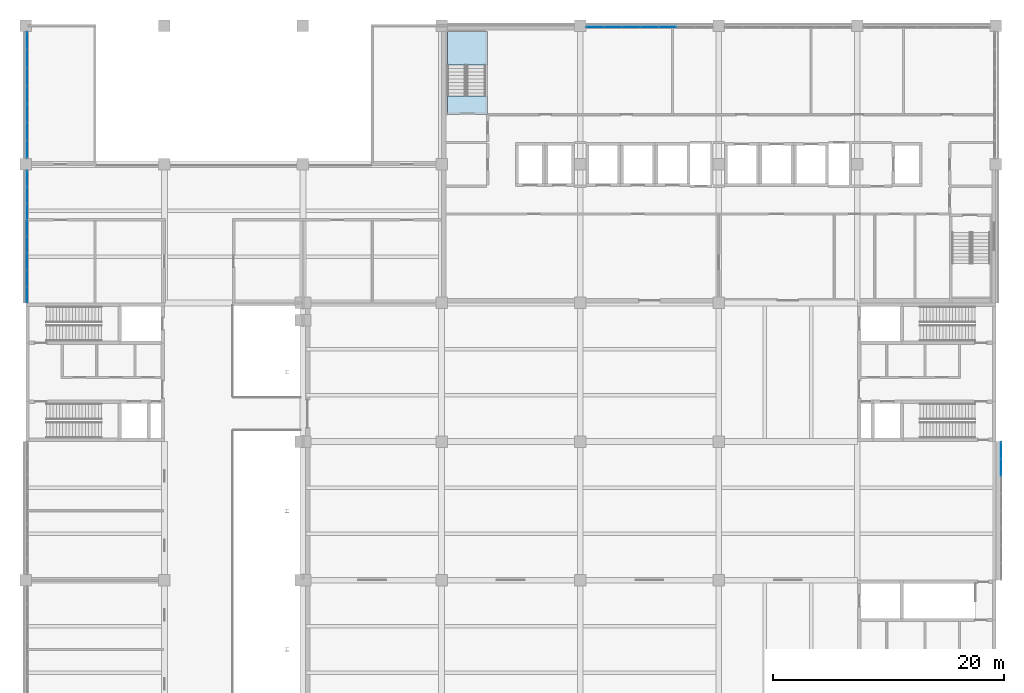
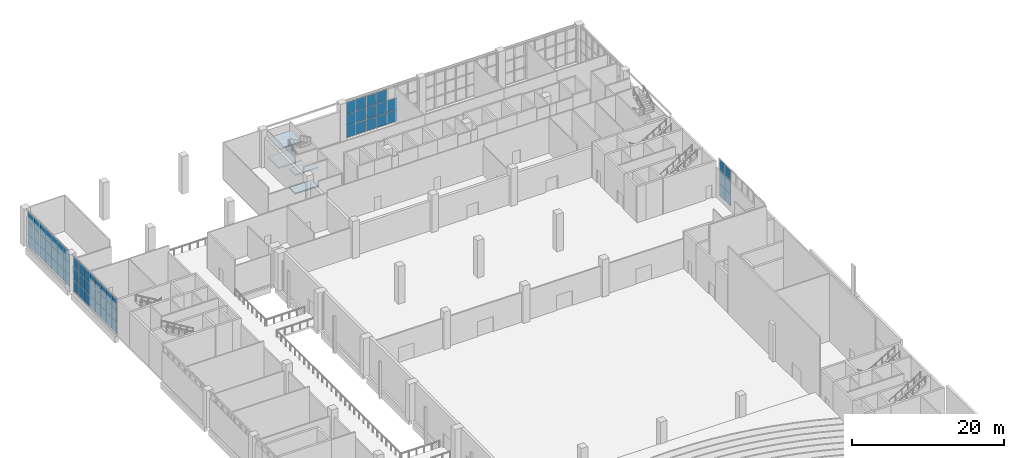
# One storey, part 47 of 72: 65 plates, 4 slabs, 5 elements without a shape of their own.
"""IFC4 building model written with IfcOpenShell, lengths in metres."""

from ifc_helpers import new_model, si_unit, direction, frame, origin, origin_2d, place, context, subcontext, project, spatial, polyline, rectangle, outline, extrude, material, layer, layer_set, type_object, element, aggregate, save


model = new_model("IFC4")

# Units and contexts
model_context = context("Model", 3, precision=1e-05, world=origin(), true_north=direction((0.0, 1.0)))
body_context = subcontext(model_context, "Body", "Model", "MODEL_VIEW")
ifc_project = project(units=[si_unit("LENGTHUNIT", "METRE"), si_unit("AREAUNIT", "SQUARE_METRE"), si_unit("VOLUMEUNIT", "CUBIC_METRE"), si_unit("PLANEANGLEUNIT", "RADIAN"), si_unit("MASSUNIT", "GRAM", prefix="KILO")], contexts=[model_context])

# Site, building, storey
site_placement = place(None, origin())
site = spatial("IfcSite", under=ifc_project, at=site_placement, CompositionType="ELEMENT")
building_placement = place(site_placement, origin())
building = spatial("IfcBuilding", under=site, at=building_placement, Name="Lilac Gate Convention Centre", CompositionType="ELEMENT")
storey_placement = place(building_placement, frame((0.0, 0.0, 6.0)))
storey = spatial("IfcBuildingStorey", under=building, at=storey_placement, Name="L01", CompositionType="ELEMENT", Elevation=6.0)

# Curtain wall, plates
ifc_material_1 = material(Name="Aluminium framed double glazing", Category="aluminium")
ifc_layer_1 = layer(ifc_material_1, 0.199951171875)
ifc_layer_set_1 = layer_set([ifc_layer_1], Name="Aluminium framed double glazing")
curtain_wall_type = type_object("IfcCurtainWallType", Name="Unitised curtain wall 1500", PredefinedType="NOTDEFINED", material=ifc_layer_set_1)
curtain_wall_1_placement = place(storey_placement, origin())
curtain_wall_1 = element("IfcCurtainWall", 1, at=curtain_wall_1_placement, inside=storey, type_object=curtain_wall_type, Name="Curtain wall N L01 3", PredefinedType="NOTDEFINED")
ifc_material_2 = material(Name="Double glazed unit low emissivity")
ifc_layer_2 = layer(ifc_material_2, 0.028076171875)
ifc_layer_set_2 = layer_set([ifc_layer_2], Name="Double glazed unit low emissivity")
plate_type_1 = type_object("IfcPlateType", Name="Curtain wall glass panel 28", PredefinedType="CURTAIN_PANEL", material=ifc_layer_set_2)
plate_1_placement = place(storey_placement, frame((61.571533203125, 245.89990234375, 1.94677734375), z_axis=(0.0, 0.0, 1.0), x_axis=(-1.0, 0.0, 0.0)))
plate_1 = element("IfcPlate", 2, at=plate_1_placement, type_object=plate_type_1, Name="CW panel 3.2", PredefinedType="CURTAIN_PANEL", context=body_context, shape_type="SweptSolid", body=[
    extrude(rectangle(XDim=1.511474609375, YDim=0.028076171875, at=origin_2d()), origin(), (0.0, 0.0, 1.0), 1.856689453125),
])
plate_2_placement = place(storey_placement, frame((60.0, 245.89990234375, 1.94677734375), z_axis=(0.0, 0.0, 1.0), x_axis=(-1.0, 0.0, 0.0)))
plate_2 = element("IfcPlate", 3, at=plate_2_placement, type_object=plate_type_1, Name="CW panel 4.2", PredefinedType="CURTAIN_PANEL", context=body_context, shape_type="SweptSolid", body=[
    extrude(rectangle(XDim=1.511474609375, YDim=0.028076171875, at=origin_2d()), origin(), (0.0, 0.0, 1.0), 1.856689453125),
])
plate_3_placement = place(storey_placement, frame((60.0, 245.89990234375, 3.86328125), z_axis=(0.0, 0.0, 1.0), x_axis=(-1.0, 0.0, 0.0)))
plate_3 = element("IfcPlate", 4, at=plate_3_placement, type_object=plate_type_1, Name="CW panel 4.3", PredefinedType="CURTAIN_PANEL", context=body_context, shape_type="SweptSolid", body=[
    extrude(rectangle(XDim=1.511474609375, YDim=0.028076171875, at=origin_2d()), origin(), (0.0, 0.0, 1.0), 1.82666015625),
])
plate_4_placement = place(storey_placement, frame((58.428466796875, 245.89990234375, 1.94677734375), z_axis=(0.0, 0.0, 1.0), x_axis=(-1.0, 0.0, 0.0)))
plate_4 = element("IfcPlate", 5, at=plate_4_placement, type_object=plate_type_1, Name="CW panel 5.2", PredefinedType="CURTAIN_PANEL", context=body_context, shape_type="SweptSolid", body=[
    extrude(rectangle(XDim=1.511474609375, YDim=0.028076171875, at=origin_2d()), origin(), (0.0, 0.0, 1.0), 1.856689453125),
])
plate_5_placement = place(storey_placement, frame((58.428466796875, 245.89990234375, 3.86328125), z_axis=(0.0, 0.0, 1.0), x_axis=(-1.0, 0.0, 0.0)))
plate_5 = element("IfcPlate", 6, at=plate_5_placement, type_object=plate_type_1, Name="CW panel 5.3", PredefinedType="CURTAIN_PANEL", context=body_context, shape_type="SweptSolid", body=[
    extrude(rectangle(XDim=1.511474609375, YDim=0.028076171875, at=origin_2d()), origin(), (0.0, 0.0, 1.0), 1.82666015625),
])
plate_6_placement = place(storey_placement, frame((56.857177734375, 245.89990234375, 1.94677734375), z_axis=(0.0, 0.0, 1.0), x_axis=(-1.0, 0.0, 0.0)))
plate_6 = element("IfcPlate", 7, at=plate_6_placement, type_object=plate_type_1, Name="CW panel 6.2", PredefinedType="CURTAIN_PANEL", context=body_context, shape_type="SweptSolid", body=[
    extrude(rectangle(XDim=1.511474609375, YDim=0.028076171875, at=origin_2d()), origin(), (0.0, 0.0, 1.0), 1.856689453125),
])
plate_7_placement = place(storey_placement, frame((56.857177734375, 245.89990234375, 3.86328125), z_axis=(0.0, 0.0, 1.0), x_axis=(-1.0, 0.0, 0.0)))
plate_7 = element("IfcPlate", 8, at=plate_7_placement, type_object=plate_type_1, Name="CW panel 6.3", PredefinedType="CURTAIN_PANEL", context=body_context, shape_type="SweptSolid", body=[
    extrude(rectangle(XDim=1.511474609375, YDim=0.028076171875, at=origin_2d()), origin(), (0.0, 0.0, 1.0), 1.82666015625),
])
plate_8_placement = place(storey_placement, frame((55.30078125, 245.89990234375, 1.94677734375), z_axis=(0.0, 0.0, 1.0), x_axis=(-1.0, 0.0, 0.0)))
plate_8 = element("IfcPlate", 9, at=plate_8_placement, type_object=plate_type_1, Name="CW panel 7.2", PredefinedType="CURTAIN_PANEL", context=body_context, shape_type="SweptSolid", body=[
    extrude(rectangle(XDim=1.4814453125, YDim=0.028076171875, at=origin_2d()), origin(), (0.0, 0.0, 1.0), 1.856689453125),
])
plate_9_placement = place(storey_placement, frame((55.30078125, 245.89990234375, 3.86328125), z_axis=(0.0, 0.0, 1.0), x_axis=(-1.0, 0.0, 0.0)))
plate_9 = element("IfcPlate", 10, at=plate_9_placement, type_object=plate_type_1, Name="CW panel 7.3", PredefinedType="CURTAIN_PANEL", context=body_context, shape_type="SweptSolid", body=[
    extrude(rectangle(XDim=1.4814453125, YDim=0.028076171875, at=origin_2d()), origin(), (0.0, 0.0, 1.0), 1.82666015625),
])

curtain_wall_2_placement = place(storey_placement, origin())
curtain_wall_2 = element("IfcCurtainWall", 11, at=curtain_wall_2_placement, inside=storey, type_object=curtain_wall_type, Name="Curtain wall GW L01 1", PredefinedType="NOTDEFINED")
plate_10_placement = place(storey_placement, frame((6.10009765625, 244.69921875, 1.94677734375), z_axis=(0.0, 0.0, 1.0), x_axis=(0.0, -1.0, 0.0)))
plate_10 = element("IfcPlate", 12, at=plate_10_placement, type_object=plate_type_1, Name="CW panel 1.2", PredefinedType="CURTAIN_PANEL", context=body_context, shape_type="SweptSolid", body=[
    extrude(rectangle(XDim=1.4814453125, YDim=0.028076171875, at=origin_2d()), origin(), (0.0, 0.0, 1.0), 1.856689453125),
])
plate_11_placement = place(storey_placement, frame((6.10009765625, 244.69921875, 3.86328125), z_axis=(0.0, 0.0, 1.0), x_axis=(0.0, -1.0, 0.0)))
plate_11 = element("IfcPlate", 13, at=plate_11_placement, type_object=plate_type_1, Name="CW panel 1.3", PredefinedType="CURTAIN_PANEL", context=body_context, shape_type="SweptSolid", body=[
    extrude(rectangle(XDim=1.4814453125, YDim=0.028076171875, at=origin_2d()), origin(), (0.0, 0.0, 1.0), 1.82666015625),
])
plate_12_placement = place(storey_placement, frame((6.10009765625, 243.142822265625, 1.94677734375), z_axis=(0.0, 0.0, 1.0), x_axis=(0.0, -1.0, 0.0)))
plate_12 = element("IfcPlate", 14, at=plate_12_placement, type_object=plate_type_1, Name="CW panel 2.2", PredefinedType="CURTAIN_PANEL", context=body_context, shape_type="SweptSolid", body=[
    extrude(rectangle(XDim=1.511474609375, YDim=0.028076171875, at=origin_2d()), origin(), (0.0, 0.0, 1.0), 1.856689453125),
])
plate_13_placement = place(storey_placement, frame((6.10009765625, 243.142822265625, 3.86328125), z_axis=(0.0, 0.0, 1.0), x_axis=(0.0, -1.0, 0.0)))
plate_13 = element("IfcPlate", 15, at=plate_13_placement, type_object=plate_type_1, Name="CW panel 2.3", PredefinedType="CURTAIN_PANEL", context=body_context, shape_type="SweptSolid", body=[
    extrude(rectangle(XDim=1.511474609375, YDim=0.028076171875, at=origin_2d()), origin(), (0.0, 0.0, 1.0), 1.82666015625),
])
plate_14_placement = place(storey_placement, frame((6.10009765625, 241.571533203125, 1.94677734375), z_axis=(0.0, 0.0, 1.0), x_axis=(0.0, -1.0, 0.0)))
plate_14 = element("IfcPlate", 16, at=plate_14_placement, type_object=plate_type_1, Name="CW panel 3.2", PredefinedType="CURTAIN_PANEL", context=body_context, shape_type="SweptSolid", body=[
    extrude(rectangle(XDim=1.511474609375, YDim=0.028076171875, at=origin_2d()), origin(), (0.0, 0.0, 1.0), 1.856689453125),
])
plate_15_placement = place(storey_placement, frame((6.10009765625, 241.571533203125, 3.86328125), z_axis=(0.0, 0.0, 1.0), x_axis=(0.0, -1.0, 0.0)))
plate_15 = element("IfcPlate", 17, at=plate_15_placement, type_object=plate_type_1, Name="CW panel 3.3", PredefinedType="CURTAIN_PANEL", context=body_context, shape_type="SweptSolid", body=[
    extrude(rectangle(XDim=1.511474609375, YDim=0.028076171875, at=origin_2d()), origin(), (0.0, 0.0, 1.0), 1.82666015625),
])
plate_16_placement = place(storey_placement, frame((6.10009765625, 240.0, 1.94677734375), z_axis=(0.0, 0.0, 1.0), x_axis=(0.0, -1.0, 0.0)))
plate_16 = element("IfcPlate", 18, at=plate_16_placement, type_object=plate_type_1, Name="CW panel 4.2", PredefinedType="CURTAIN_PANEL", context=body_context, shape_type="SweptSolid", body=[
    extrude(rectangle(XDim=1.511474609375, YDim=0.028076171875, at=origin_2d()), origin(), (0.0, 0.0, 1.0), 1.856689453125),
])
plate_17_placement = place(storey_placement, frame((6.10009765625, 240.0, 3.86328125), z_axis=(0.0, 0.0, 1.0), x_axis=(0.0, -1.0, 0.0)))
plate_17 = element("IfcPlate", 19, at=plate_17_placement, type_object=plate_type_1, Name="CW panel 4.3", PredefinedType="CURTAIN_PANEL", context=body_context, shape_type="SweptSolid", body=[
    extrude(rectangle(XDim=1.511474609375, YDim=0.028076171875, at=origin_2d()), origin(), (0.0, 0.0, 1.0), 1.82666015625),
])
plate_18_placement = place(storey_placement, frame((6.10009765625, 238.428466796875, 1.94677734375), z_axis=(0.0, 0.0, 1.0), x_axis=(0.0, -1.0, 0.0)))
plate_18 = element("IfcPlate", 20, at=plate_18_placement, type_object=plate_type_1, Name="CW panel 5.2", PredefinedType="CURTAIN_PANEL", context=body_context, shape_type="SweptSolid", body=[
    extrude(rectangle(XDim=1.511474609375, YDim=0.028076171875, at=origin_2d()), origin(), (0.0, 0.0, 1.0), 1.856689453125),
])
plate_19_placement = place(storey_placement, frame((6.10009765625, 238.428466796875, 3.86328125), z_axis=(0.0, 0.0, 1.0), x_axis=(0.0, -1.0, 0.0)))
plate_19 = element("IfcPlate", 21, at=plate_19_placement, type_object=plate_type_1, Name="CW panel 5.3", PredefinedType="CURTAIN_PANEL", context=body_context, shape_type="SweptSolid", body=[
    extrude(rectangle(XDim=1.511474609375, YDim=0.028076171875, at=origin_2d()), origin(), (0.0, 0.0, 1.0), 1.82666015625),
])
plate_20_placement = place(storey_placement, frame((6.10009765625, 236.857177734375, 1.94677734375), z_axis=(0.0, 0.0, 1.0), x_axis=(0.0, -1.0, 0.0)))
plate_20 = element("IfcPlate", 22, at=plate_20_placement, type_object=plate_type_1, Name="CW panel 6.2", PredefinedType="CURTAIN_PANEL", context=body_context, shape_type="SweptSolid", body=[
    extrude(rectangle(XDim=1.511474609375, YDim=0.028076171875, at=origin_2d()), origin(), (0.0, 0.0, 1.0), 1.856689453125),
])
plate_21_placement = place(storey_placement, frame((6.10009765625, 236.857177734375, 3.86328125), z_axis=(0.0, 0.0, 1.0), x_axis=(0.0, -1.0, 0.0)))
plate_21 = element("IfcPlate", 23, at=plate_21_placement, type_object=plate_type_1, Name="CW panel 6.3", PredefinedType="CURTAIN_PANEL", context=body_context, shape_type="SweptSolid", body=[
    extrude(rectangle(XDim=1.511474609375, YDim=0.028076171875, at=origin_2d()), origin(), (0.0, 0.0, 1.0), 1.82666015625),
])
plate_22_placement = place(storey_placement, frame((6.10009765625, 235.30078125, 1.94677734375), z_axis=(0.0, 0.0, 1.0), x_axis=(0.0, -1.0, 0.0)))
plate_22 = element("IfcPlate", 24, at=plate_22_placement, type_object=plate_type_1, Name="CW panel 7.2", PredefinedType="CURTAIN_PANEL", context=body_context, shape_type="SweptSolid", body=[
    extrude(rectangle(XDim=1.4814453125, YDim=0.028076171875, at=origin_2d()), origin(), (0.0, 0.0, 1.0), 1.856689453125),
])
plate_23_placement = place(storey_placement, frame((6.10009765625, 235.30078125, 3.86328125), z_axis=(0.0, 0.0, 1.0), x_axis=(0.0, -1.0, 0.0)))
plate_23 = element("IfcPlate", 25, at=plate_23_placement, type_object=plate_type_1, Name="CW panel 7.3", PredefinedType="CURTAIN_PANEL", context=body_context, shape_type="SweptSolid", body=[
    extrude(rectangle(XDim=1.4814453125, YDim=0.028076171875, at=origin_2d()), origin(), (0.0, 0.0, 1.0), 1.82666015625),
])

curtain_wall_3_placement = place(storey_placement, origin())
curtain_wall_3 = element("IfcCurtainWall", 26, at=curtain_wall_3_placement, inside=storey, type_object=curtain_wall_type, Name="Curtain wall GW L01 2", PredefinedType="NOTDEFINED")
plate_24_placement = place(storey_placement, frame((6.10009765625, 232.766357421875, 1.94677734375), z_axis=(0.0, 0.0, 1.0), x_axis=(0.0, -1.0, 0.0)))
plate_24 = element("IfcPlate", 27, at=plate_24_placement, type_object=plate_type_1, Name="CW panel 1.2", PredefinedType="CURTAIN_PANEL", context=body_context, shape_type="SweptSolid", body=[
    extrude(rectangle(XDim=1.347412109375, YDim=0.028076171875, at=origin_2d()), origin(), (0.0, 0.0, 1.0), 1.856689453125),
])
plate_25_placement = place(storey_placement, frame((6.10009765625, 232.766357421875, 3.86328125), z_axis=(0.0, 0.0, 1.0), x_axis=(0.0, -1.0, 0.0)))
plate_25 = element("IfcPlate", 28, at=plate_25_placement, type_object=plate_type_1, Name="CW panel 1.3", PredefinedType="CURTAIN_PANEL", context=body_context, shape_type="SweptSolid", body=[
    extrude(rectangle(XDim=1.347412109375, YDim=0.028076171875, at=origin_2d()), origin(), (0.0, 0.0, 1.0), 1.82666015625),
])
plate_26_placement = place(storey_placement, frame((6.10009765625, 231.34375, 1.94677734375), z_axis=(0.0, 0.0, 1.0), x_axis=(0.0, -1.0, 0.0)))
plate_26 = element("IfcPlate", 29, at=plate_26_placement, type_object=plate_type_1, Name="CW panel 2.2", PredefinedType="CURTAIN_PANEL", context=body_context, shape_type="SweptSolid", body=[
    extrude(rectangle(XDim=1.37744140625, YDim=0.028076171875, at=origin_2d()), origin(), (0.0, 0.0, 1.0), 1.856689453125),
])
plate_27_placement = place(storey_placement, frame((6.10009765625, 231.34375, 3.86328125), z_axis=(0.0, 0.0, 1.0), x_axis=(0.0, -1.0, 0.0)))
plate_27 = element("IfcPlate", 30, at=plate_27_placement, type_object=plate_type_1, Name="CW panel 2.3", PredefinedType="CURTAIN_PANEL", context=body_context, shape_type="SweptSolid", body=[
    extrude(rectangle(XDim=1.37744140625, YDim=0.028076171875, at=origin_2d()), origin(), (0.0, 0.0, 1.0), 1.82666015625),
])
plate_28_placement = place(storey_placement, frame((6.10009765625, 229.90625, 1.94677734375), z_axis=(0.0, 0.0, 1.0), x_axis=(0.0, -1.0, 0.0)))
plate_28 = element("IfcPlate", 31, at=plate_28_placement, type_object=plate_type_1, Name="CW panel 3.2", PredefinedType="CURTAIN_PANEL", context=body_context, shape_type="SweptSolid", body=[
    extrude(rectangle(XDim=1.37744140625, YDim=0.028076171875, at=origin_2d()), origin(), (0.0, 0.0, 1.0), 1.856689453125),
])
plate_29_placement = place(storey_placement, frame((6.10009765625, 229.90625, 3.86328125), z_axis=(0.0, 0.0, 1.0), x_axis=(0.0, -1.0, 0.0)))
plate_29 = element("IfcPlate", 32, at=plate_29_placement, type_object=plate_type_1, Name="CW panel 3.3", PredefinedType="CURTAIN_PANEL", context=body_context, shape_type="SweptSolid", body=[
    extrude(rectangle(XDim=1.37744140625, YDim=0.028076171875, at=origin_2d()), origin(), (0.0, 0.0, 1.0), 1.82666015625),
])
plate_30_placement = place(storey_placement, frame((6.10009765625, 228.46875, 1.94677734375), z_axis=(0.0, 0.0, 1.0), x_axis=(0.0, -1.0, 0.0)))
plate_30 = element("IfcPlate", 33, at=plate_30_placement, type_object=plate_type_1, Name="CW panel 4.2", PredefinedType="CURTAIN_PANEL", context=body_context, shape_type="SweptSolid", body=[
    extrude(rectangle(XDim=1.37744140625, YDim=0.028076171875, at=origin_2d()), origin(), (0.0, 0.0, 1.0), 1.856689453125),
])
plate_31_placement = place(storey_placement, frame((6.10009765625, 228.46875, 3.86328125), z_axis=(0.0, 0.0, 1.0), x_axis=(0.0, -1.0, 0.0)))
plate_31 = element("IfcPlate", 34, at=plate_31_placement, type_object=plate_type_1, Name="CW panel 4.3", PredefinedType="CURTAIN_PANEL", context=body_context, shape_type="SweptSolid", body=[
    extrude(rectangle(XDim=1.37744140625, YDim=0.028076171875, at=origin_2d()), origin(), (0.0, 0.0, 1.0), 1.82666015625),
])
plate_32_placement = place(storey_placement, frame((6.10009765625, 227.03125, 1.94677734375), z_axis=(0.0, 0.0, 1.0), x_axis=(0.0, -1.0, 0.0)))
plate_32 = element("IfcPlate", 35, at=plate_32_placement, type_object=plate_type_1, Name="CW panel 5.2", PredefinedType="CURTAIN_PANEL", context=body_context, shape_type="SweptSolid", body=[
    extrude(rectangle(XDim=1.37744140625, YDim=0.028076171875, at=origin_2d()), origin(), (0.0, 0.0, 1.0), 1.856689453125),
])
plate_33_placement = place(storey_placement, frame((6.10009765625, 227.03125, 3.86328125), z_axis=(0.0, 0.0, 1.0), x_axis=(0.0, -1.0, 0.0)))
plate_33 = element("IfcPlate", 36, at=plate_33_placement, type_object=plate_type_1, Name="CW panel 5.3", PredefinedType="CURTAIN_PANEL", context=body_context, shape_type="SweptSolid", body=[
    extrude(rectangle(XDim=1.37744140625, YDim=0.028076171875, at=origin_2d()), origin(), (0.0, 0.0, 1.0), 1.82666015625),
])
plate_34_placement = place(storey_placement, frame((6.10009765625, 225.59375, 1.94677734375), z_axis=(0.0, 0.0, 1.0), x_axis=(0.0, -1.0, 0.0)))
plate_34 = element("IfcPlate", 37, at=plate_34_placement, type_object=plate_type_1, Name="CW panel 6.2", PredefinedType="CURTAIN_PANEL", context=body_context, shape_type="SweptSolid", body=[
    extrude(rectangle(XDim=1.37744140625, YDim=0.028076171875, at=origin_2d()), origin(), (0.0, 0.0, 1.0), 1.856689453125),
])
plate_35_placement = place(storey_placement, frame((6.10009765625, 225.59375, 3.86328125), z_axis=(0.0, 0.0, 1.0), x_axis=(0.0, -1.0, 0.0)))
plate_35 = element("IfcPlate", 38, at=plate_35_placement, type_object=plate_type_1, Name="CW panel 6.3", PredefinedType="CURTAIN_PANEL", context=body_context, shape_type="SweptSolid", body=[
    extrude(rectangle(XDim=1.37744140625, YDim=0.028076171875, at=origin_2d()), origin(), (0.0, 0.0, 1.0), 1.82666015625),
])
plate_36_placement = place(storey_placement, frame((6.10009765625, 224.15625, 1.94677734375), z_axis=(0.0, 0.0, 1.0), x_axis=(0.0, -1.0, 0.0)))
plate_36 = element("IfcPlate", 39, at=plate_36_placement, type_object=plate_type_1, Name="CW panel 7.2", PredefinedType="CURTAIN_PANEL", context=body_context, shape_type="SweptSolid", body=[
    extrude(rectangle(XDim=1.37744140625, YDim=0.028076171875, at=origin_2d()), origin(), (0.0, 0.0, 1.0), 1.856689453125),
])
plate_37_placement = place(storey_placement, frame((6.10009765625, 224.15625, 3.86328125), z_axis=(0.0, 0.0, 1.0), x_axis=(0.0, -1.0, 0.0)))
plate_37 = element("IfcPlate", 40, at=plate_37_placement, type_object=plate_type_1, Name="CW panel 7.3", PredefinedType="CURTAIN_PANEL", context=body_context, shape_type="SweptSolid", body=[
    extrude(rectangle(XDim=1.37744140625, YDim=0.028076171875, at=origin_2d()), origin(), (0.0, 0.0, 1.0), 1.82666015625),
])
plate_38_placement = place(storey_placement, frame((6.10009765625, 222.733642578125, 1.94677734375), z_axis=(0.0, 0.0, 1.0), x_axis=(0.0, -1.0, 0.0)))
plate_38 = element("IfcPlate", 41, at=plate_38_placement, type_object=plate_type_1, Name="CW panel 8.2", PredefinedType="CURTAIN_PANEL", context=body_context, shape_type="SweptSolid", body=[
    extrude(rectangle(XDim=1.347412109375, YDim=0.028076171875, at=origin_2d()), origin(), (0.0, 0.0, 1.0), 1.856689453125),
])
plate_39_placement = place(storey_placement, frame((6.10009765625, 222.733642578125, 3.86328125), z_axis=(0.0, 0.0, 1.0), x_axis=(0.0, -1.0, 0.0)))
plate_39 = element("IfcPlate", 42, at=plate_39_placement, type_object=plate_type_1, Name="CW panel 8.3", PredefinedType="CURTAIN_PANEL", context=body_context, shape_type="SweptSolid", body=[
    extrude(rectangle(XDim=1.347412109375, YDim=0.028076171875, at=origin_2d()), origin(), (0.0, 0.0, 1.0), 1.82666015625),
])

curtain_wall_4_placement = place(storey_placement, origin())
curtain_wall_4 = element("IfcCurtainWall", 43, at=curtain_wall_4_placement, inside=storey, type_object=curtain_wall_type, Name="Curtain wall HE L01 12", PredefinedType="NOTDEFINED")
plate_40_placement = place(storey_placement, frame((90.449951171875, 207.75, 2.030029296875), z_axis=(0.0, 0.0, 1.0), x_axis=(0.0, 1.0, 0.0)))
plate_40 = element("IfcPlate", 44, at=plate_40_placement, type_object=plate_type_1, Name="CW panel 7.2", PredefinedType="CURTAIN_PANEL", context=body_context, shape_type="SweptSolid", body=[
    extrude(rectangle(XDim=1.43994140625, YDim=0.028076171875, at=origin_2d()), origin(), (0.0, 0.0, 1.0), 1.93994140625),
])
plate_41_placement = place(storey_placement, frame((90.449951171875, 207.75, 4.0302734375), z_axis=(0.0, 0.0, 1.0), x_axis=(0.0, 1.0, 0.0)))
plate_41 = element("IfcPlate", 45, at=plate_41_placement, type_object=plate_type_1, Name="CW panel 7.3", PredefinedType="CURTAIN_PANEL", context=body_context, shape_type="SweptSolid", body=[
    extrude(rectangle(XDim=1.43994140625, YDim=0.028076171875, at=origin_2d()), origin(), (0.0, 0.0, 1.0), 1.909912109375),
])
plate_42_placement = place(storey_placement, frame((90.449951171875, 209.235107421875, 2.030029296875), z_axis=(0.0, 0.0, 1.0), x_axis=(0.0, 1.0, 0.0)))
plate_42 = element("IfcPlate", 46, at=plate_42_placement, type_object=plate_type_1, Name="CW panel 8.2", PredefinedType="CURTAIN_PANEL", context=body_context, shape_type="SweptSolid", body=[
    extrude(rectangle(XDim=1.409912109375, YDim=0.028076171875, at=origin_2d()), origin(), (0.0, 0.0, 1.0), 1.93994140625),
])
plate_43_placement = place(storey_placement, frame((90.449951171875, 209.235107421875, 4.0302734375), z_axis=(0.0, 0.0, 1.0), x_axis=(0.0, 1.0, 0.0)))
plate_43 = element("IfcPlate", 47, at=plate_43_placement, type_object=plate_type_1, Name="CW panel 8.3", PredefinedType="CURTAIN_PANEL", context=body_context, shape_type="SweptSolid", body=[
    extrude(rectangle(XDim=1.409912109375, YDim=0.028076171875, at=origin_2d()), origin(), (0.0, 0.0, 1.0), 1.909912109375),
])

# Plate
ifc_material_3 = material(Name="Insulated aluminium spandrel panel", Category="aluminium")
ifc_layer_3 = layer(ifc_material_3, 0.028076171875)
ifc_layer_set_3 = layer_set([ifc_layer_3], Name="Insulated aluminium spandrel panel")
plate_type_2 = type_object("IfcPlateType", Name="Curtain wall spandrel panel 28", PredefinedType="CURTAIN_PANEL", material=ifc_layer_set_3)
plate_44_placement = place(storey_placement, frame((61.571533203125, 245.89990234375, 0.06005859375), z_axis=(0.0, 0.0, 1.0), x_axis=(-1.0, 0.0, 0.0)))
plate_44 = element("IfcPlate", 48, at=plate_44_placement, type_object=plate_type_2, Name="CW spandrel 3.1", PredefinedType="CURTAIN_PANEL", context=body_context, shape_type="SweptSolid", body=[
    extrude(rectangle(XDim=1.511474609375, YDim=0.028076171875, at=origin_2d()), origin(), (0.0, 0.0, 1.0), 1.82666015625),
])

plate_45_placement = place(storey_placement, frame((60.0, 245.89990234375, 0.06005859375), z_axis=(0.0, 0.0, 1.0), x_axis=(-1.0, 0.0, 0.0)))
plate_45 = element("IfcPlate", 49, at=plate_45_placement, type_object=plate_type_2, Name="CW spandrel 4.1", PredefinedType="CURTAIN_PANEL", context=body_context, shape_type="SweptSolid", body=[
    extrude(rectangle(XDim=1.511474609375, YDim=0.028076171875, at=origin_2d()), origin(), (0.0, 0.0, 1.0), 1.82666015625),
])

plate_46_placement = place(storey_placement, frame((58.428466796875, 245.89990234375, 0.06005859375), z_axis=(0.0, 0.0, 1.0), x_axis=(-1.0, 0.0, 0.0)))
plate_46 = element("IfcPlate", 50, at=plate_46_placement, type_object=plate_type_2, Name="CW spandrel 5.1", PredefinedType="CURTAIN_PANEL", context=body_context, shape_type="SweptSolid", body=[
    extrude(rectangle(XDim=1.511474609375, YDim=0.028076171875, at=origin_2d()), origin(), (0.0, 0.0, 1.0), 1.82666015625),
])

plate_47_placement = place(storey_placement, frame((56.857177734375, 245.89990234375, 0.06005859375), z_axis=(0.0, 0.0, 1.0), x_axis=(-1.0, 0.0, 0.0)))
plate_47 = element("IfcPlate", 51, at=plate_47_placement, type_object=plate_type_2, Name="CW spandrel 6.1", PredefinedType="CURTAIN_PANEL", context=body_context, shape_type="SweptSolid", body=[
    extrude(rectangle(XDim=1.511474609375, YDim=0.028076171875, at=origin_2d()), origin(), (0.0, 0.0, 1.0), 1.82666015625),
])

plate_48_placement = place(storey_placement, frame((55.30078125, 245.89990234375, 0.06005859375), z_axis=(0.0, 0.0, 1.0), x_axis=(-1.0, 0.0, 0.0)))
plate_48 = element("IfcPlate", 52, at=plate_48_placement, type_object=plate_type_2, Name="CW spandrel 7.1", PredefinedType="CURTAIN_PANEL", context=body_context, shape_type="SweptSolid", body=[
    extrude(rectangle(XDim=1.4814453125, YDim=0.028076171875, at=origin_2d()), origin(), (0.0, 0.0, 1.0), 1.82666015625),
])

aggregate(curtain_wall_1, [plate_44, plate_1, plate_45, plate_2, plate_3, plate_46, plate_4, plate_5, plate_47, plate_6, plate_7, plate_48, plate_8, plate_9])

plate_49_placement = place(storey_placement, frame((6.10009765625, 244.69921875, 0.06005859375), z_axis=(0.0, 0.0, 1.0), x_axis=(0.0, -1.0, 0.0)))
plate_49 = element("IfcPlate", 53, at=plate_49_placement, type_object=plate_type_2, Name="CW spandrel 1.1", PredefinedType="CURTAIN_PANEL", context=body_context, shape_type="SweptSolid", body=[
    extrude(rectangle(XDim=1.4814453125, YDim=0.028076171875, at=origin_2d()), origin(), (0.0, 0.0, 1.0), 1.82666015625),
])

plate_50_placement = place(storey_placement, frame((6.10009765625, 243.142822265625, 0.06005859375), z_axis=(0.0, 0.0, 1.0), x_axis=(0.0, -1.0, 0.0)))
plate_50 = element("IfcPlate", 54, at=plate_50_placement, type_object=plate_type_2, Name="CW spandrel 2.1", PredefinedType="CURTAIN_PANEL", context=body_context, shape_type="SweptSolid", body=[
    extrude(rectangle(XDim=1.511474609375, YDim=0.028076171875, at=origin_2d()), origin(), (0.0, 0.0, 1.0), 1.82666015625),
])

plate_51_placement = place(storey_placement, frame((6.10009765625, 241.571533203125, 0.06005859375), z_axis=(0.0, 0.0, 1.0), x_axis=(0.0, -1.0, 0.0)))
plate_51 = element("IfcPlate", 55, at=plate_51_placement, type_object=plate_type_2, Name="CW spandrel 3.1", PredefinedType="CURTAIN_PANEL", context=body_context, shape_type="SweptSolid", body=[
    extrude(rectangle(XDim=1.511474609375, YDim=0.028076171875, at=origin_2d()), origin(), (0.0, 0.0, 1.0), 1.82666015625),
])

plate_52_placement = place(storey_placement, frame((6.10009765625, 240.0, 0.06005859375), z_axis=(0.0, 0.0, 1.0), x_axis=(0.0, -1.0, 0.0)))
plate_52 = element("IfcPlate", 56, at=plate_52_placement, type_object=plate_type_2, Name="CW spandrel 4.1", PredefinedType="CURTAIN_PANEL", context=body_context, shape_type="SweptSolid", body=[
    extrude(rectangle(XDim=1.511474609375, YDim=0.028076171875, at=origin_2d()), origin(), (0.0, 0.0, 1.0), 1.82666015625),
])

plate_53_placement = place(storey_placement, frame((6.10009765625, 238.428466796875, 0.06005859375), z_axis=(0.0, 0.0, 1.0), x_axis=(0.0, -1.0, 0.0)))
plate_53 = element("IfcPlate", 57, at=plate_53_placement, type_object=plate_type_2, Name="CW spandrel 5.1", PredefinedType="CURTAIN_PANEL", context=body_context, shape_type="SweptSolid", body=[
    extrude(rectangle(XDim=1.511474609375, YDim=0.028076171875, at=origin_2d()), origin(), (0.0, 0.0, 1.0), 1.82666015625),
])

plate_54_placement = place(storey_placement, frame((6.10009765625, 236.857177734375, 0.06005859375), z_axis=(0.0, 0.0, 1.0), x_axis=(0.0, -1.0, 0.0)))
plate_54 = element("IfcPlate", 58, at=plate_54_placement, type_object=plate_type_2, Name="CW spandrel 6.1", PredefinedType="CURTAIN_PANEL", context=body_context, shape_type="SweptSolid", body=[
    extrude(rectangle(XDim=1.511474609375, YDim=0.028076171875, at=origin_2d()), origin(), (0.0, 0.0, 1.0), 1.82666015625),
])

plate_55_placement = place(storey_placement, frame((6.10009765625, 235.30078125, 0.06005859375), z_axis=(0.0, 0.0, 1.0), x_axis=(0.0, -1.0, 0.0)))
plate_55 = element("IfcPlate", 59, at=plate_55_placement, type_object=plate_type_2, Name="CW spandrel 7.1", PredefinedType="CURTAIN_PANEL", context=body_context, shape_type="SweptSolid", body=[
    extrude(rectangle(XDim=1.4814453125, YDim=0.028076171875, at=origin_2d()), origin(), (0.0, 0.0, 1.0), 1.82666015625),
])

aggregate(curtain_wall_2, [plate_49, plate_10, plate_11, plate_50, plate_12, plate_13, plate_51, plate_14, plate_15, plate_52, plate_16, plate_17, plate_53, plate_18, plate_19, plate_54, plate_20, plate_21, plate_55, plate_22, plate_23])

plate_56_placement = place(storey_placement, frame((6.10009765625, 232.766357421875, 0.06005859375), z_axis=(0.0, 0.0, 1.0), x_axis=(0.0, -1.0, 0.0)))
plate_56 = element("IfcPlate", 60, at=plate_56_placement, type_object=plate_type_2, Name="CW spandrel 1.1", PredefinedType="CURTAIN_PANEL", context=body_context, shape_type="SweptSolid", body=[
    extrude(rectangle(XDim=1.347412109375, YDim=0.028076171875, at=origin_2d()), origin(), (0.0, 0.0, 1.0), 1.82666015625),
])

plate_57_placement = place(storey_placement, frame((6.10009765625, 231.34375, 0.06005859375), z_axis=(0.0, 0.0, 1.0), x_axis=(0.0, -1.0, 0.0)))
plate_57 = element("IfcPlate", 61, at=plate_57_placement, type_object=plate_type_2, Name="CW spandrel 2.1", PredefinedType="CURTAIN_PANEL", context=body_context, shape_type="SweptSolid", body=[
    extrude(rectangle(XDim=1.37744140625, YDim=0.028076171875, at=origin_2d()), origin(), (0.0, 0.0, 1.0), 1.82666015625),
])

plate_58_placement = place(storey_placement, frame((6.10009765625, 229.90625, 0.06005859375), z_axis=(0.0, 0.0, 1.0), x_axis=(0.0, -1.0, 0.0)))
plate_58 = element("IfcPlate", 62, at=plate_58_placement, type_object=plate_type_2, Name="CW spandrel 3.1", PredefinedType="CURTAIN_PANEL", context=body_context, shape_type="SweptSolid", body=[
    extrude(rectangle(XDim=1.37744140625, YDim=0.028076171875, at=origin_2d()), origin(), (0.0, 0.0, 1.0), 1.82666015625),
])

plate_59_placement = place(storey_placement, frame((6.10009765625, 228.46875, 0.06005859375), z_axis=(0.0, 0.0, 1.0), x_axis=(0.0, -1.0, 0.0)))
plate_59 = element("IfcPlate", 63, at=plate_59_placement, type_object=plate_type_2, Name="CW spandrel 4.1", PredefinedType="CURTAIN_PANEL", context=body_context, shape_type="SweptSolid", body=[
    extrude(rectangle(XDim=1.37744140625, YDim=0.028076171875, at=origin_2d()), origin(), (0.0, 0.0, 1.0), 1.82666015625),
])

plate_60_placement = place(storey_placement, frame((6.10009765625, 227.03125, 0.06005859375), z_axis=(0.0, 0.0, 1.0), x_axis=(0.0, -1.0, 0.0)))
plate_60 = element("IfcPlate", 64, at=plate_60_placement, type_object=plate_type_2, Name="CW spandrel 5.1", PredefinedType="CURTAIN_PANEL", context=body_context, shape_type="SweptSolid", body=[
    extrude(rectangle(XDim=1.37744140625, YDim=0.028076171875, at=origin_2d()), origin(), (0.0, 0.0, 1.0), 1.82666015625),
])

plate_61_placement = place(storey_placement, frame((6.10009765625, 225.59375, 0.06005859375), z_axis=(0.0, 0.0, 1.0), x_axis=(0.0, -1.0, 0.0)))
plate_61 = element("IfcPlate", 65, at=plate_61_placement, type_object=plate_type_2, Name="CW spandrel 6.1", PredefinedType="CURTAIN_PANEL", context=body_context, shape_type="SweptSolid", body=[
    extrude(rectangle(XDim=1.37744140625, YDim=0.028076171875, at=origin_2d()), origin(), (0.0, 0.0, 1.0), 1.82666015625),
])

plate_62_placement = place(storey_placement, frame((6.10009765625, 224.15625, 0.06005859375), z_axis=(0.0, 0.0, 1.0), x_axis=(0.0, -1.0, 0.0)))
plate_62 = element("IfcPlate", 66, at=plate_62_placement, type_object=plate_type_2, Name="CW spandrel 7.1", PredefinedType="CURTAIN_PANEL", context=body_context, shape_type="SweptSolid", body=[
    extrude(rectangle(XDim=1.37744140625, YDim=0.028076171875, at=origin_2d()), origin(), (0.0, 0.0, 1.0), 1.82666015625),
])

plate_63_placement = place(storey_placement, frame((6.10009765625, 222.733642578125, 0.06005859375), z_axis=(0.0, 0.0, 1.0), x_axis=(0.0, -1.0, 0.0)))
plate_63 = element("IfcPlate", 67, at=plate_63_placement, type_object=plate_type_2, Name="CW spandrel 8.1", PredefinedType="CURTAIN_PANEL", context=body_context, shape_type="SweptSolid", body=[
    extrude(rectangle(XDim=1.347412109375, YDim=0.028076171875, at=origin_2d()), origin(), (0.0, 0.0, 1.0), 1.82666015625),
])

aggregate(curtain_wall_3, [plate_56, plate_24, plate_25, plate_57, plate_26, plate_27, plate_58, plate_28, plate_29, plate_59, plate_30, plate_31, plate_60, plate_32, plate_33, plate_61, plate_34, plate_35, plate_62, plate_36, plate_37, plate_63, plate_38, plate_39])

plate_64_placement = place(storey_placement, frame((90.449951171875, 207.75, 0.06005859375), z_axis=(0.0, 0.0, 1.0), x_axis=(0.0, 1.0, 0.0)))
plate_64 = element("IfcPlate", 68, at=plate_64_placement, type_object=plate_type_2, Name="CW spandrel 7.1", PredefinedType="CURTAIN_PANEL", context=body_context, shape_type="SweptSolid", body=[
    extrude(rectangle(XDim=1.43994140625, YDim=0.028076171875, at=origin_2d()), origin(), (0.0, 0.0, 1.0), 1.909912109375),
])

plate_65_placement = place(storey_placement, frame((90.449951171875, 209.235107421875, 0.06005859375), z_axis=(0.0, 0.0, 1.0), x_axis=(0.0, 1.0, 0.0)))
plate_65 = element("IfcPlate", 69, at=plate_65_placement, type_object=plate_type_2, Name="CW spandrel 8.1", PredefinedType="CURTAIN_PANEL", context=body_context, shape_type="SweptSolid", body=[
    extrude(rectangle(XDim=1.409912109375, YDim=0.028076171875, at=origin_2d()), origin(), (0.0, 0.0, 1.0), 1.909912109375),
])

aggregate(curtain_wall_4, [plate_64, plate_40, plate_41, plate_65, plate_42, plate_43])

# Stair, slabs
ifc_material_4 = material(Name="Concrete C40", Category="concrete")
stair_type = type_object("IfcStairType", Name="Exit stair", PredefinedType="DOUBLE_RETURN_STAIR", material=ifc_material_4)
stair_placement = place(storey_placement, origin())
stair = element("IfcStair", 70, at=stair_placement, inside=storey, type_object=stair_type, Name="Exit stair NW L01", PredefinedType="DOUBLE_RETURN_STAIR")
ifc_layer_4 = layer(ifc_material_4, 0.199951171875)
ifc_layer_set_4 = layer_set([ifc_layer_4], Name="Concrete C40")
slab_type = type_object("IfcSlabType", Name="Exit stair landing", PredefinedType="LANDING", material=ifc_layer_set_4)
slab_1_placement = place(storey_placement, frame((0.0, 0.0, -0.199951171875)))
slab_1 = element("IfcSlab", 71, at=slab_1_placement, type_object=slab_type, Name="ST-NW landing 1", PredefinedType="LANDING", context=body_context, shape_type="SweptSolid", body=[
    extrude(outline(polyline([(42.5, 238.300048828125), (46.0, 238.300048828125), (46.0, 239.89990234375), (42.5, 239.89990234375), (42.5, 238.300048828125)])), origin(), (0.0, 0.0, 1.0), 0.199951171875),
])
slab_2_placement = place(storey_placement, frame((0.0, 0.0, 1.300048828125)))
slab_2 = element("IfcSlab", 72, at=slab_2_placement, type_object=slab_type, Name="ST-NW landing 2", PredefinedType="LANDING", context=body_context, shape_type="SweptSolid", body=[
    extrude(outline(polyline([(42.5, 242.60009765625), (46.0, 242.60009765625), (46.0, 245.5), (42.5, 245.5), (42.5, 242.60009765625)])), origin(), (0.0, 0.0, 1.0), 0.199951171875),
])
slab_3_placement = place(storey_placement, frame((0.0, 0.0, 2.800048828125)))
slab_3 = element("IfcSlab", 73, at=slab_3_placement, type_object=slab_type, Name="ST-NW landing 3", PredefinedType="LANDING", context=body_context, shape_type="SweptSolid", body=[
    extrude(outline(polyline([(42.5, 238.300048828125), (46.0, 238.300048828125), (46.0, 239.89990234375), (42.5, 239.89990234375), (42.5, 238.300048828125)])), origin(), (0.0, 0.0, 1.0), 0.199951171875),
])
slab_4_placement = place(storey_placement, frame((0.0, 0.0, 4.300048828125)))
slab_4 = element("IfcSlab", 74, at=slab_4_placement, type_object=slab_type, Name="ST-NW landing 4", PredefinedType="LANDING", context=body_context, shape_type="SweptSolid", body=[
    extrude(outline(polyline([(42.5, 242.60009765625), (46.0, 242.60009765625), (46.0, 245.5), (42.5, 245.5), (42.5, 242.60009765625)])), origin(), (0.0, 0.0, 1.0), 0.199951171875),
])
aggregate(stair, [slab_1, slab_2, slab_3, slab_4])

save(model, "model.ifc")
